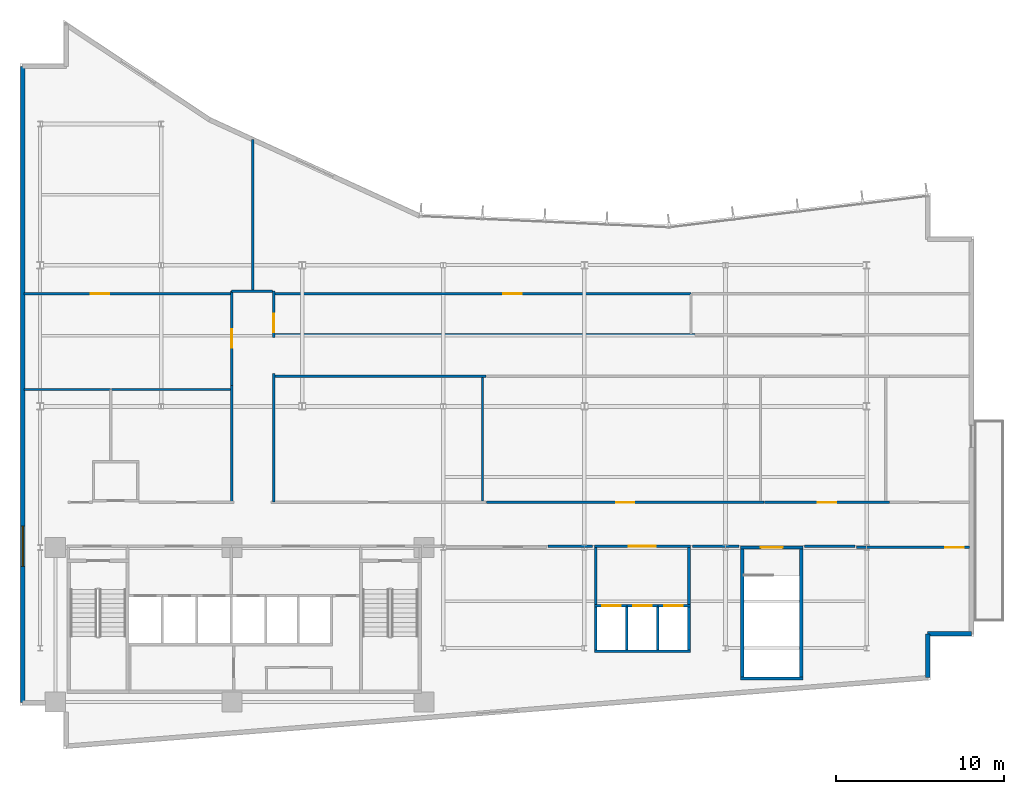
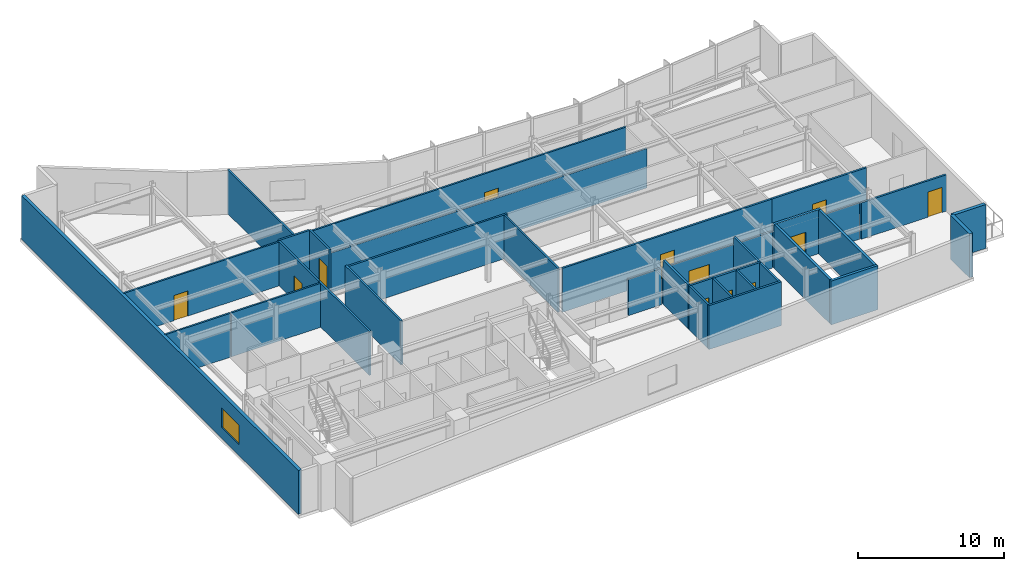
# One storey, part 11 of 16: 37 walls, 12 doors, 1 window, 13 openings.
"""IFC4 building model written with IfcOpenShell, lengths in metres."""

from ifc_helpers import new_model, si_unit, direction, frame, frame_2d, origin, place, context, subcontext, project, spatial, rectangle, extrude, material, layer, layer_set, type_object, element, fill, save


model = new_model("IFC4")

# Units and contexts
model_context = context("Model", 3, precision=1e-05, world=origin(), true_north=direction((0.0, 1.0)))
body_context = subcontext(model_context, "Body", "Model", "MODEL_VIEW")
ifc_project = project(units=[si_unit("LENGTHUNIT", "METRE"), si_unit("AREAUNIT", "SQUARE_METRE"), si_unit("VOLUMEUNIT", "CUBIC_METRE"), si_unit("PLANEANGLEUNIT", "RADIAN"), si_unit("MASSUNIT", "GRAM", prefix="KILO")], contexts=[model_context])

# Site, building, storey
site_placement = place(None, origin())
site = spatial("IfcSite", under=ifc_project, at=site_placement, CompositionType="ELEMENT")
building_placement = place(site_placement, origin())
building = spatial("IfcBuilding", under=site, at=building_placement, Name="Varnakote Quay Hospital", CompositionType="ELEMENT")
storey_placement = place(building_placement, frame((0.0, 0.0, 170.5)))
storey = spatial("IfcBuildingStorey", under=building, at=storey_placement, Name="L42", CompositionType="ELEMENT", Elevation=170.5)

# Walls
ifc_material_1 = material(Name="Fire-rated acoustic gypsum stud wall", Category="gypsum")
ifc_layer_1 = layer(ifc_material_1, 0.159912109375)
ifc_layer_set_1 = layer_set([ifc_layer_1], Name="Fire-rated acoustic gypsum stud wall")
wall_type_1 = type_object("IfcWallType", Name="WL-COMP-160", PredefinedType="PARTITIONING", material=ifc_layer_set_1)
for number, where, z_axis, x_axis, name in (
    (1, (34.27001953125, 8.610107421875, 0.0), (0.0, 0.0, 1.0), (0.0, 1.0, 0.0), "L42 Mid-Rise Lift Lobby West Wall"),
    (2, (39.830078125, 8.610107421875, 0.0), (0.0, 0.0, 1.0), (0.0, 1.0, 0.0), "L42 Mid-Rise Lift Lobby East Wall"),
):
    element("IfcWall", number, at=place(storey_placement, frame(where, z_axis=z_axis, x_axis=x_axis)), inside=storey, type_object=wall_type_1, Name=name, PredefinedType="PARTITIONING", context=body_context, shape_type="SweptSolid", body=[
        extrude(rectangle(XDim=3.389892578125, YDim=0.159912109375, at=frame_2d((1.69482421875, 0.0))), origin(), (0.0, 0.0, 1.0), 3.669921875),
    ])

# Wall, opening, door
wall_1_placement = place(storey_placement, frame((34.18994140625, 12.080078125, 0.0), z_axis=(0.0, 0.0, 1.0), x_axis=(1.0, 0.0, 0.0)))
wall_1 = element("IfcWall", 3, at=wall_1_placement, inside=storey, type_object=wall_type_1, Name="L42 Mid-Rise Lift Lobby North Wall", PredefinedType="PARTITIONING", context=body_context, shape_type="SweptSolid", body=[
    extrude(rectangle(XDim=5.719970703125, YDim=0.159912109375, at=frame_2d((2.85986328125, 0.0))), origin(), (0.0, 0.0, 1.0), 3.04296875),
])
opening_1_placement = place(wall_1_placement, frame((2.06005859375, 0.0, 0.0)))
opening_1 = element("IfcOpeningElement", 4, at=opening_1_placement, cuts=wall_1, Name="Opening D-PML-L42", PredefinedType="OPENING", context=body_context, shape_type="SweptSolid", body=[
    extrude(rectangle(XDim=1.60009765625, YDim=2.050048828125, at=frame_2d((0.800048828125, 1.02490234375))), frame((0.0, 0.08984375, 0.0), z_axis=(0.0, -1.0, 0.0), x_axis=(1.0, 0.0, 0.0)), (0.0, 0.0, 1.0), 0.179931640625),
])
ifc_material_2 = material(Name="Fire-rated double smoke lobby door")
door_type_1 = type_object("IfcDoorType", Name="DR-LOBBY-FD60S-1600x2150", OperationType="NOTDEFINED", PredefinedType="DOOR", material=ifc_material_2)
door_1_placement = place(opening_1_placement, origin())
door_1 = element("IfcDoor", 5, at=door_1_placement, inside=storey, type_object=door_type_1, Name="L42 Mid-Rise Passenger Concourse Vestibule Door", OperationType="DOUBLE_DOOR_SINGLE_SWING", OverallHeight=2.050048828125, OverallWidth=1.60009765625, PredefinedType="DOOR", context=body_context, shape_type="SweptSolid", body=[
    extrude(rectangle(XDim=1.60009765625, YDim=2.050048828125, at=frame_2d((0.800048828125, 1.02490234375))), frame((0.0, 0.02490234375, 0.0), z_axis=(0.0, -1.0, 0.0), x_axis=(1.0, 0.0, 0.0)), (0.0, 0.0, 1.0), 0.050048828125),
])
fill(opening_1, door_1)

# Walls
wall_2_placement = place(storey_placement, frame((31.439208984375, 12.080078125, 0.0), z_axis=(0.0, 0.0, 1.0), x_axis=(1.0, 0.0, 0.0)))
element("IfcWall", 6, at=wall_2_placement, inside=storey, type_object=wall_type_1, Name="L42 Corridor South Gap Wall", PredefinedType="PARTITIONING", context=body_context, shape_type="SweptSolid", body=[
    extrude(rectangle(XDim=2.630859375, YDim=0.159912109375, at=frame_2d((1.3154296875, 0.0))), origin(), (0.0, 0.0, 1.0), 3.04296875),
])
wall_3_placement = place(storey_placement, frame((40.030029296875, 12.080078125, 0.0), z_axis=(0.0, 0.0, 1.0), x_axis=(1.0, 0.0, 0.0)))
element("IfcWall", 7, at=wall_3_placement, inside=storey, type_object=wall_type_1, Name="L42 Corridor South Gap Wall", PredefinedType="PARTITIONING", context=body_context, shape_type="SweptSolid", body=[
    extrude(rectangle(XDim=2.78076171875, YDim=0.159912109375, at=frame_2d((1.390380859375, 0.0))), origin(), (0.0, 0.0, 1.0), 3.04296875),
])
wall_4_placement = place(storey_placement, frame((46.689208984375, 12.080078125, 0.0), z_axis=(0.0, 0.0, 1.0), x_axis=(1.0, 0.0, 0.0)))
element("IfcWall", 8, at=wall_4_placement, inside=storey, type_object=wall_type_1, Name="L42 Corridor South Gap Wall", PredefinedType="PARTITIONING", context=body_context, shape_type="SweptSolid", body=[
    extrude(rectangle(XDim=3.0107421875, YDim=0.159912109375, at=frame_2d((1.50537109375, 0.0))), origin(), (0.0, 0.0, 1.0), 3.04296875),
])
ifc_material_3 = material(Name="Precast concrete N50 (f'c 50 MPa)", Category="concrete")
ifc_layer_2 = layer(ifc_material_3, 0.260009765625)
ifc_layer_set_2 = layer_set([ifc_layer_2], Name="Precast concrete N50 (f'c 50 MPa)")
wall_type_2 = type_object("IfcWallType", Name="WL-EXT-BRICK-260", PredefinedType="STANDARD", material=ifc_layer_set_2)
wall_5_placement = place(storey_placement, frame((54.0400390625, 4.247802734375, 0.0), z_axis=(0.0, 0.0, 1.0), x_axis=(0.0, 1.0, 0.0)))
element("IfcWall", 9, at=wall_5_placement, inside=storey, type_object=wall_type_2, Name="L42 Brick-Faced Precast Exterior Wall", PredefinedType="STANDARD", context=body_context, shape_type="SweptSolid", body=[
    extrude(rectangle(XDim=2.6123046875, YDim=0.260009765625, at=frame_2d((1.30615234375, 0.0))), origin(), (0.0, 0.0, 1.0), 3.669921875),
])
wall_6_placement = place(storey_placement, frame((54.0400390625, 6.860107421875, 0.0), z_axis=(0.0, 0.0, 1.0), x_axis=(1.0, 0.0, 0.0)))
element("IfcWall", 10, at=wall_6_placement, inside=storey, type_object=wall_type_2, Name="L42 Brick-Faced Precast Exterior Wall", PredefinedType="STANDARD", context=body_context, shape_type="SweptSolid", body=[
    extrude(rectangle(XDim=2.599853515625, YDim=0.260009765625, at=frame_2d((1.2998046875, 0.0))), origin(), (0.0, 0.0, 1.0), 3.669921875),
])

# Wall, opening, window
wall_7_placement = place(storey_placement, frame((0.159912109375, 40.639892578125, 0.0), z_axis=(0.0, 0.0, 1.0), x_axis=(0.0, -1.0, 0.0)))
wall_7 = element("IfcWall", 11, at=wall_7_placement, inside=storey, type_object=wall_type_2, Name="L42 Brick-Faced Precast Exterior Wall", PredefinedType="STANDARD", context=body_context, shape_type="SweptSolid", body=[
    extrude(rectangle(XDim=37.8798828125, YDim=0.260009765625, at=frame_2d((18.93994140625, 0.0))), origin(), (0.0, 0.0, 1.0), 3.669921875),
])
opening_2_placement = place(wall_7_placement, frame((27.3701171875, 0.0, 0.89990234375)))
opening_2 = element("IfcOpeningElement", 12, at=opening_2_placement, cuts=wall_7, Name="Opening WN-0181", PredefinedType="OPENING", context=body_context, shape_type="SweptSolid", body=[
    extrude(rectangle(XDim=2.39990234375, YDim=1.64990234375, at=frame_2d((1.199951171875, 0.824951171875))), frame((0.0, 0.139892578125, 0.0), z_axis=(0.0, -1.0, 0.0), x_axis=(1.0, 0.0, 0.0)), (0.0, 0.0, 1.0), 0.280029296875),
])
ifc_material_4 = material(Name="Double-glazed low-E solar glass", Category="glass")
window_type = type_object("IfcWindowType", Name="WIN-CLIN-2400x1650", PartitioningType="SINGLE_PANEL", PredefinedType="WINDOW", material=ifc_material_4)
window_placement = place(opening_2_placement, origin())
window = element("IfcWindow", 13, at=window_placement, inside=storey, type_object=window_type, Name="L42 Solar-Control Clinical Window", OverallHeight=1.64990234375, OverallWidth=2.39990234375, PartitioningType="SINGLE_PANEL", PredefinedType="WINDOW", context=body_context, shape_type="SweptSolid", body=[
    extrude(rectangle(XDim=2.39990234375, YDim=1.64990234375, at=frame_2d((1.199951171875, 0.824951171875))), frame((0.0, 0.030029296875, 0.0), z_axis=(0.0, -1.0, 0.0), x_axis=(1.0, 0.0, 0.0)), (0.0, 0.0, 1.0), 0.06005859375),
])
fill(opening_2, window)

# Walls
ifc_material_5 = material(Name="Concrete N50 (f'c 50 MPa)", Category="concrete")
ifc_layer_3 = layer(ifc_material_5, 0.14990234375)
ifc_layer_set_3 = layer_set([ifc_layer_3], Name="Concrete N50 (f'c 50 MPa)")
wall_type_3 = type_object("IfcWallType", Name="WL-SHAFT-N50-150", PredefinedType="SHEAR", material=ifc_layer_set_3)
for number, where, z_axis, x_axis, name in (
    (14, (36.125, 5.89990234375, 0.0), (0.0, 0.0, 1.0), (0.0, 1.0, 0.0), "L42 LF-PM1 Hoistway Divider Wall"),
    (15, (37.97509765625, 5.89990234375, 0.0), (0.0, 0.0, 1.0), (0.0, 1.0, 0.0), "L42 LF-PM2 Hoistway Divider Wall"),
):
    element("IfcWall", number, at=place(storey_placement, frame(where, z_axis=z_axis, x_axis=x_axis)), inside=storey, type_object=wall_type_3, Name=name, PredefinedType="SHEAR", context=body_context, shape_type="SweptSolid", body=[
        extrude(rectangle(XDim=2.550048828125, YDim=0.14990234375, at=frame_2d((1.27490234375, 0.0))), origin(), (0.0, 0.0, 1.0), 3.669921875),
    ])
ifc_material_6 = material(Name="Concrete N50 (f'c 50 MPa)", Category="concrete")
ifc_layer_4 = layer(ifc_material_6, 0.159912109375)
ifc_layer_set_4 = layer_set([ifc_layer_4], Name="Concrete N50 (f'c 50 MPa)")
wall_type_4 = type_object("IfcWallType", Name="WL-SHAFT-N50-160", PredefinedType="SHEAR", material=ifc_layer_set_4)
wall_8_placement = place(storey_placement, frame((34.18994140625, 5.820068359375, 0.0), z_axis=(0.0, 0.0, 1.0), x_axis=(1.0, 0.0, 0.0)))
element("IfcWall", 16, at=wall_8_placement, inside=storey, type_object=wall_type_4, Name="L42 MID Lift Bank Back Shear Wall", PredefinedType="SHEAR", context=body_context, shape_type="SweptSolid", body=[
    extrude(rectangle(XDim=5.719970703125, YDim=0.159912109375, at=frame_2d((2.85986328125, 0.0))), origin(), (0.0, 0.0, 1.0), 3.669921875),
])
for number, where, z_axis, x_axis, name in (
    (17, (34.27001953125, 5.89990234375, 0.0), (0.0, 0.0, 1.0), (0.0, 1.0, 0.0), "L42 MID Lift Bank West Shear Wall"),
    (18, (39.830078125, 5.89990234375, 0.0), (0.0, 0.0, 1.0), (0.0, 1.0, 0.0), "L42 MID Lift Bank East Shear Wall"),
):
    element("IfcWall", number, at=place(storey_placement, frame(where, z_axis=z_axis, x_axis=x_axis)), inside=storey, type_object=wall_type_4, Name=name, PredefinedType="SHEAR", context=body_context, shape_type="SweptSolid", body=[
        extrude(rectangle(XDim=2.550048828125, YDim=0.159912109375, at=frame_2d((1.27490234375, 0.0))), origin(), (0.0, 0.0, 1.0), 3.669921875),
    ])

# Wall, opening, door
wall_9_placement = place(storey_placement, frame((34.18994140625, 8.530029296875, 0.0), z_axis=(0.0, 0.0, 1.0), x_axis=(1.0, 0.0, 0.0)))
wall_9 = element("IfcWall", 19, at=wall_9_placement, inside=storey, type_object=wall_type_4, Name="L42 LF-PM1 Hoistway Front Wall", PredefinedType="SHEAR", context=body_context, shape_type="SweptSolid", body=[
    extrude(rectangle(XDim=1.93505859375, YDim=0.159912109375, at=frame_2d((0.967529296875, 0.0))), origin(), (0.0, 0.0, 1.0), 3.669921875),
])
opening_3_placement = place(wall_9_placement, frame((0.4599609375, 0.0, 0.0)))
opening_3 = element("IfcOpeningElement", 20, at=opening_3_placement, cuts=wall_9, Name="Opening LD-PM1-L42", PredefinedType="OPENING", context=body_context, shape_type="SweptSolid", body=[
    extrude(rectangle(XDim=1.10009765625, YDim=2.14990234375, at=frame_2d((0.550048828125, 1.074951171875))), frame((0.0, 0.08984375, 0.0), z_axis=(0.0, -1.0, 0.0), x_axis=(1.0, 0.0, 0.0)), (0.0, 0.0, 1.0), 0.179931640625),
])
ifc_material_7 = material(Name="Brushed bronze lift landing sliding door")
door_type_2 = type_object("IfcDoorType", Name="DR-LIFT-LD-1100x2150", OperationType="NOTDEFINED", PredefinedType="DOOR", material=ifc_material_7)
door_2_placement = place(opening_3_placement, origin())
door_2 = element("IfcDoor", 21, at=door_2_placement, inside=storey, type_object=door_type_2, Name="L42 LF-PM1 Lift Landing Sliding Door", OperationType="SLIDING_TO_LEFT", OverallHeight=2.14990234375, OverallWidth=1.10009765625, PredefinedType="DOOR", context=body_context, shape_type="SweptSolid", body=[
    extrude(rectangle(XDim=1.10009765625, YDim=2.14990234375, at=frame_2d((0.550048828125, 1.074951171875))), frame((0.0, 0.02490234375, 0.0), z_axis=(0.0, -1.0, 0.0), x_axis=(1.0, 0.0, 0.0)), (0.0, 0.0, 1.0), 0.050048828125),
])
fill(opening_3, door_2)

wall_10_placement = place(storey_placement, frame((36.125, 8.530029296875, 0.0), z_axis=(0.0, 0.0, 1.0), x_axis=(1.0, 0.0, 0.0)))
wall_10 = element("IfcWall", 22, at=wall_10_placement, inside=storey, type_object=wall_type_4, Name="L42 LF-PM2 Hoistway Front Wall", PredefinedType="SHEAR", context=body_context, shape_type="SweptSolid", body=[
    extrude(rectangle(XDim=1.85009765625, YDim=0.159912109375, at=frame_2d((0.925048828125, 0.0))), origin(), (0.0, 0.0, 1.0), 3.669921875),
])
opening_4_placement = place(wall_10_placement, frame((0.375, 0.0, 0.0)))
opening_4 = element("IfcOpeningElement", 23, at=opening_4_placement, cuts=wall_10, Name="Opening LD-PM2-L42", PredefinedType="OPENING", context=body_context, shape_type="SweptSolid", body=[
    extrude(rectangle(XDim=1.10009765625, YDim=2.14990234375, at=frame_2d((0.550048828125, 1.074951171875))), frame((0.0, 0.08984375, 0.0), z_axis=(0.0, -1.0, 0.0), x_axis=(1.0, 0.0, 0.0)), (0.0, 0.0, 1.0), 0.179931640625),
])
door_3_placement = place(opening_4_placement, origin())
door_3 = element("IfcDoor", 24, at=door_3_placement, inside=storey, type_object=door_type_2, Name="L42 LF-PM2 Lift Landing Sliding Door", OperationType="SLIDING_TO_LEFT", OverallHeight=2.14990234375, OverallWidth=1.10009765625, PredefinedType="DOOR", context=body_context, shape_type="SweptSolid", body=[
    extrude(rectangle(XDim=1.10009765625, YDim=2.14990234375, at=frame_2d((0.550048828125, 1.074951171875))), frame((0.0, 0.02490234375, 0.0), z_axis=(0.0, -1.0, 0.0), x_axis=(1.0, 0.0, 0.0)), (0.0, 0.0, 1.0), 0.050048828125),
])
fill(opening_4, door_3)

wall_11_placement = place(storey_placement, frame((37.97509765625, 8.530029296875, 0.0), z_axis=(0.0, 0.0, 1.0), x_axis=(1.0, 0.0, 0.0)))
wall_11 = element("IfcWall", 25, at=wall_11_placement, inside=storey, type_object=wall_type_4, Name="L42 LF-PM3 Hoistway Front Wall", PredefinedType="SHEAR", context=body_context, shape_type="SweptSolid", body=[
    extrude(rectangle(XDim=1.934814453125, YDim=0.159912109375, at=frame_2d((0.96728515625, 0.0))), origin(), (0.0, 0.0, 1.0), 3.669921875),
])
opening_5_placement = place(wall_11_placement, frame((0.375, 0.0, 0.0)))
opening_5 = element("IfcOpeningElement", 26, at=opening_5_placement, cuts=wall_11, Name="Opening LD-PM3-L42", PredefinedType="OPENING", context=body_context, shape_type="SweptSolid", body=[
    extrude(rectangle(XDim=1.10009765625, YDim=2.14990234375, at=frame_2d((0.550048828125, 1.074951171875))), frame((0.0, 0.08984375, 0.0), z_axis=(0.0, -1.0, 0.0), x_axis=(1.0, 0.0, 0.0)), (0.0, 0.0, 1.0), 0.179931640625),
])
door_4_placement = place(opening_5_placement, origin())
door_4 = element("IfcDoor", 27, at=door_4_placement, inside=storey, type_object=door_type_2, Name="L42 LF-PM3 Lift Landing Sliding Door", OperationType="SLIDING_TO_LEFT", OverallHeight=2.14990234375, OverallWidth=1.10009765625, PredefinedType="DOOR", context=body_context, shape_type="SweptSolid", body=[
    extrude(rectangle(XDim=1.10009765625, YDim=2.14990234375, at=frame_2d((0.550048828125, 1.074951171875))), frame((0.0, 0.02490234375, 0.0), z_axis=(0.0, -1.0, 0.0), x_axis=(1.0, 0.0, 0.0)), (0.0, 0.0, 1.0), 0.050048828125),
])
fill(opening_5, door_4)

# Walls
ifc_material_8 = material(Name="Concrete N50 (f'c 50 MPa)", Category="concrete")
ifc_layer_5 = layer(ifc_material_8, 0.199951171875)
ifc_layer_set_5 = layer_set([ifc_layer_5], Name="Concrete N50 (f'c 50 MPa)")
wall_type_5 = type_object("IfcWallType", Name="WL-SHAFT-N50-200", PredefinedType="SHEAR", material=ifc_layer_set_5)
wall_12_placement = place(storey_placement, frame((42.89990234375, 4.199951171875, 0.0), z_axis=(0.0, 0.0, 1.0), x_axis=(1.0, 0.0, 0.0)))
element("IfcWall", 28, at=wall_12_placement, inside=storey, type_object=wall_type_5, Name="L42 Stair ST3 South Shaft Wall", PredefinedType="SHEAR", context=body_context, shape_type="SweptSolid", body=[
    extrude(rectangle(XDim=3.7001953125, YDim=0.199951171875, at=frame_2d((1.85009765625, 0.0))), origin(), (0.0, 0.0, 1.0), 3.669921875),
])
for number, where, z_axis, x_axis, name in (
    (29, (43.0, 4.300048828125, 0.0), (0.0, 0.0, 1.0), (0.0, 1.0, 0.0), "L42 Stair ST3 West Shaft Wall"),
    (30, (46.5, 4.300048828125, 0.0), (0.0, 0.0, 1.0), (0.0, 1.0, 0.0), "L42 Stair ST3 East Shaft Wall"),
):
    element("IfcWall", number, at=place(storey_placement, frame(where, z_axis=z_axis, x_axis=x_axis)), inside=storey, type_object=wall_type_5, Name=name, PredefinedType="SHEAR", context=body_context, shape_type="SweptSolid", body=[
        extrude(rectangle(XDim=7.599853515625, YDim=0.199951171875, at=frame_2d((3.7998046875, 0.0))), origin(), (0.0, 0.0, 1.0), 3.669921875),
    ])

# Wall, opening, door
wall_13_placement = place(storey_placement, frame((42.89990234375, 12.0, 0.0), z_axis=(0.0, 0.0, 1.0), x_axis=(1.0, 0.0, 0.0)))
wall_13 = element("IfcWall", 31, at=wall_13_placement, inside=storey, type_object=wall_type_5, Name="L42 Stair ST3 Exit Wall", PredefinedType="SHEAR", context=body_context, shape_type="SweptSolid", body=[
    extrude(rectangle(XDim=3.7001953125, YDim=0.199951171875, at=frame_2d((1.85009765625, 0.0))), origin(), (0.0, 0.0, 1.0), 3.669921875),
])
opening_6_placement = place(wall_13_placement, frame((1.199951171875, 0.0, 0.0)))
opening_6 = element("IfcOpeningElement", 32, at=opening_6_placement, cuts=wall_13, Name="Opening D-ST3-L42", PredefinedType="OPENING", context=body_context, shape_type="SweptSolid", body=[
    extrude(rectangle(XDim=1.300048828125, YDim=2.14990234375, at=frame_2d((0.64990234375, 1.074951171875))), frame((0.0, 0.10986328125, 0.0), z_axis=(0.0, -1.0, 0.0), x_axis=(1.0, 0.0, 0.0)), (0.0, 0.0, 1.0), 0.219970703125),
])
ifc_material_9 = material(Name="Fire-rated ceramic-glazed timber exit door", Category="wood")
door_type_3 = type_object("IfcDoorType", Name="DR-STAIR-FD60S-1300x2150", OperationType="NOTDEFINED", PredefinedType="DOOR", material=ifc_material_9)
door_5_placement = place(opening_6_placement, origin())
door_5 = element("IfcDoor", 33, at=door_5_placement, inside=storey, type_object=door_type_3, Name="L42 Stair ST3 Fire Exit Door", OperationType="SINGLE_SWING_LEFT", OverallHeight=2.14990234375, OverallWidth=1.300048828125, PredefinedType="DOOR", context=body_context, shape_type="SweptSolid", body=[
    extrude(rectangle(XDim=1.300048828125, YDim=2.14990234375, at=frame_2d((0.64990234375, 1.074951171875))), frame((0.0, 0.02490234375, 0.0), z_axis=(0.0, -1.0, 0.0), x_axis=(1.0, 0.0, 0.0)), (0.0, 0.0, 1.0), 0.050048828125),
])
fill(opening_6, door_5)

# Walls
ifc_material_10 = material(Name="Smoke-proof clinical partition", Category="gypsum")
ifc_layer_6 = layer(ifc_material_10, 0.135009765625)
ifc_layer_set_6 = layer_set([ifc_layer_6], Name="Smoke-proof clinical partition")
wall_type_6 = type_object("IfcWallType", Name="WL-SMOKE-135", PredefinedType="PARTITIONING", material=ifc_layer_set_6)
wall_14_placement = place(storey_placement, frame((5.39990234375, 21.39990234375, 0.0), z_axis=(0.0, 0.0, 1.0), x_axis=(-1.0, 0.0, 0.0)))
element("IfcWall", 34, at=wall_14_placement, inside=storey, type_object=wall_type_6, Name="L42 Clinical Interior Partition", PredefinedType="PARTITIONING", context=body_context, shape_type="SweptSolid", body=[
    extrude(rectangle(XDim=5.159912109375, YDim=0.135009765625, at=frame_2d((2.580078125, 0.0))), origin(), (0.0, 0.0, 1.0), 3.669921875),
])
wall_15_placement = place(storey_placement, frame((12.52001953125, 21.39990234375, 0.0), z_axis=(0.0, 0.0, 1.0), x_axis=(-1.0, 0.0, 0.0)))
element("IfcWall", 35, at=wall_15_placement, inside=storey, type_object=wall_type_6, Name="L42 Clinical Interior Partition", PredefinedType="PARTITIONING", context=body_context, shape_type="SweptSolid", body=[
    extrude(rectangle(XDim=7.0625, YDim=0.135009765625, at=frame_2d((3.53125, 0.0))), origin(), (0.0, 0.0, 1.0), 3.669921875),
])

# Wall, opening, door
wall_16_placement = place(storey_placement, frame((12.52001953125, 27.10009765625, 0.0), z_axis=(0.0, 0.0, 1.0), x_axis=(-1.0, 0.0, 0.0)))
wall_16 = element("IfcWall", 36, at=wall_16_placement, inside=storey, type_object=wall_type_6, Name="L42 Clinical Interior Partition", PredefinedType="PARTITIONING", context=body_context, shape_type="SweptSolid", body=[
    extrude(rectangle(XDim=12.280029296875, YDim=0.135009765625, at=frame_2d((6.14013671875, 0.0))), origin(), (0.0, 0.0, 1.0), 3.669921875),
])
opening_7_placement = place(wall_16_placement, frame((7.20703125, 0.0, 0.0)))
opening_7 = element("IfcOpeningElement", 37, at=opening_7_placement, cuts=wall_16, Name="Opening D-L42-MD08", PredefinedType="OPENING", context=body_context, shape_type="SweptSolid", body=[
    extrude(rectangle(XDim=1.10009765625, YDim=2.10009765625, at=frame_2d((0.550048828125, 1.050048828125))), frame((0.0, 0.077392578125, 0.0), z_axis=(0.0, -1.0, 0.0), x_axis=(1.0, 0.0, 0.0)), (0.0, 0.0, 1.0), 0.155029296875),
])
ifc_material_11 = material(Name="Acoustic timber clinical consult door", Category="wood")
door_type_4 = type_object("IfcDoorType", Name="DR-CLIN-FD30S-1100x2100", OperationType="NOTDEFINED", PredefinedType="DOOR", material=ifc_material_11)
door_6_placement = place(opening_7_placement, origin())
door_6 = element("IfcDoor", 38, at=door_6_placement, inside=storey, type_object=door_type_4, Name="L42 Lactation Specialist Office Door", OperationType="SINGLE_SWING_LEFT", OverallHeight=2.10009765625, OverallWidth=1.10009765625, PredefinedType="DOOR", context=body_context, shape_type="SweptSolid", body=[
    extrude(rectangle(XDim=1.10009765625, YDim=2.10009765625, at=frame_2d((0.550048828125, 1.050048828125))), frame((0.0, 0.02490234375, 0.0), z_axis=(0.0, -1.0, 0.0), x_axis=(1.0, 0.0, 0.0)), (0.0, 0.0, 1.0), 0.050048828125),
])
fill(opening_7, door_6)

# Wall
wall_17_placement = place(storey_placement, frame((27.530029296875, 14.760009765625, 0.0), z_axis=(0.0, 0.0, 1.0), x_axis=(0.0, 1.0, 0.0)))
element("IfcWall", 39, at=wall_17_placement, inside=storey, type_object=wall_type_6, Name="L42 Clinical Interior Partition", PredefinedType="PARTITIONING", context=body_context, shape_type="SweptSolid", body=[
    extrude(rectangle(XDim=7.360107421875, YDim=0.135009765625, at=frame_2d((3.68017578125, 0.0))), origin(), (0.0, 0.0, 1.0), 3.669921875),
])

# Wall, opening, door
wall_18_placement = place(storey_placement, frame((39.949951171875, 27.10009765625, 0.0), z_axis=(0.0, 0.0, 1.0), x_axis=(-1.0, 0.0, 0.0)))
wall_18 = element("IfcWall", 40, at=wall_18_placement, inside=storey, type_object=wall_type_6, Name="L42 Clinical Interior Partition", PredefinedType="PARTITIONING", context=body_context, shape_type="SweptSolid", body=[
    extrude(rectangle(XDim=24.77001953125, YDim=0.135009765625, at=frame_2d((12.385009765625, 0.0))), origin(), (0.0, 0.0, 1.0), 3.669921875),
])
opening_8_placement = place(wall_18_placement, frame((10.08984375, 0.0, 0.0)))
opening_8 = element("IfcOpeningElement", 41, at=opening_8_placement, cuts=wall_18, Name="Opening D-L42-MD09", PredefinedType="OPENING", context=body_context, shape_type="SweptSolid", body=[
    extrude(rectangle(XDim=1.10009765625, YDim=2.10009765625, at=frame_2d((0.550048828125, 1.050048828125))), frame((0.0, 0.077392578125, 0.0), z_axis=(0.0, -1.0, 0.0), x_axis=(1.0, 0.0, 0.0)), (0.0, 0.0, 1.0), 0.155029296875),
])
door_7_placement = place(opening_8_placement, origin())
door_7 = element("IfcDoor", 42, at=door_7_placement, inside=storey, type_object=door_type_4, Name="L42 Maternal Recovery Treatment Suite Door", OperationType="SINGLE_SWING_RIGHT", OverallHeight=2.10009765625, OverallWidth=1.10009765625, PredefinedType="DOOR", context=body_context, shape_type="SweptSolid", body=[
    extrude(rectangle(XDim=1.10009765625, YDim=2.10009765625, at=frame_2d((0.550048828125, 1.050048828125))), frame((0.0, 0.02490234375, 0.0), z_axis=(0.0, -1.0, 0.0), x_axis=(1.0, 0.0, 0.0)), (0.0, 0.0, 1.0), 0.050048828125),
])
fill(opening_8, door_7)

# Wall
wall_19_placement = place(storey_placement, frame((13.85009765625, 27.320068359375, 0.0), z_axis=(0.0, 0.0, 1.0), x_axis=(0.0, 1.0, 0.0)))
element("IfcWall", 43, at=wall_19_placement, inside=storey, type_object=wall_type_6, Name="L42 Clinical Interior Partition", PredefinedType="PARTITIONING", context=body_context, shape_type="SweptSolid", body=[
    extrude(rectangle(XDim=8.959716796875, YDim=0.135009765625, at=frame_2d((4.47998046875, 0.0))), origin(), (0.0, 0.0, 1.0), 3.669921875),
])

# Wall, opening, door
ifc_material_12 = material(Name="Fire-rated clinical gypsum partition", Category="gypsum")
ifc_layer_7 = layer(ifc_material_12, 0.14990234375)
ifc_layer_set_7 = layer_set([ifc_layer_7], Name="Fire-rated clinical gypsum partition")
wall_type_7 = type_object("IfcWallType", Name="WL-WARD-150", PredefinedType="PARTITIONING", material=ifc_layer_set_7)
wall_20_placement = place(storey_placement, frame((56.52001953125, 12.0, 0.0), z_axis=(0.0, 0.0, 1.0), x_axis=(-1.0, 0.0, 0.0)))
wall_20 = element("IfcWall", 44, at=wall_20_placement, inside=storey, type_object=wall_type_7, Name="L42 Clinical Interior Partition", PredefinedType="PARTITIONING", context=body_context, shape_type="SweptSolid", body=[
    extrude(rectangle(XDim=6.719970703125, YDim=0.14990234375, at=frame_2d((3.35986328125, 0.0))), origin(), (0.0, 0.0, 1.0), 3.04296875),
])
opening_9_placement = place(wall_20_placement, frame((0.33056640625, 0.0, 0.0)))
opening_9 = element("IfcOpeningElement", 45, at=opening_9_placement, cuts=wall_20, Name="Opening D-L42-SE1", PredefinedType="OPENING", context=body_context, shape_type="SweptSolid", body=[
    extrude(rectangle(XDim=1.10009765625, YDim=2.10009765625, at=frame_2d((0.550048828125, 1.050048828125))), frame((0.0, 0.0849609375, 0.0), z_axis=(0.0, -1.0, 0.0), x_axis=(1.0, 0.0, 0.0)), (0.0, 0.0, 1.0), 0.169921875),
])
door_8_placement = place(opening_9_placement, origin())
door_8 = element("IfcDoor", 46, at=door_8_placement, inside=storey, type_object=door_type_4, Name="L42 Clinical Biomedical Engineering Office Door", OperationType="SINGLE_SWING_LEFT", OverallHeight=2.10009765625, OverallWidth=1.10009765625, PredefinedType="DOOR", context=body_context, shape_type="SweptSolid", body=[
    extrude(rectangle(XDim=1.10009765625, YDim=2.10009765625, at=frame_2d((0.550048828125, 1.050048828125))), frame((0.0, 0.02490234375, 0.0), z_axis=(0.0, -1.0, 0.0), x_axis=(1.0, 0.0, 0.0)), (0.0, 0.0, 1.0), 0.050048828125),
])
fill(opening_9, door_8)

wall_21_placement = place(storey_placement, frame((44.305908203125, 14.679931640625, 0.0), z_axis=(0.0, 0.0, 1.0), x_axis=(-1.0, 0.0, 0.0)))
wall_21 = element("IfcWall", 47, at=wall_21_placement, inside=storey, type_object=wall_type_7, Name="L42 Clinical Interior Partition", PredefinedType="PARTITIONING", context=body_context, shape_type="SweptSolid", body=[
    extrude(rectangle(XDim=16.5478515625, YDim=0.14990234375, at=frame_2d((8.27392578125, 0.0))), origin(), (0.0, 0.0, 1.0), 3.669921875),
])
opening_10_placement = place(wall_21_placement, frame((7.72412109375, 0.0, 0.0)))
opening_10 = element("IfcOpeningElement", 48, at=opening_10_placement, cuts=wall_21, Name="Opening D-L42-MD05", PredefinedType="OPENING", context=body_context, shape_type="SweptSolid", body=[
    extrude(rectangle(XDim=1.10009765625, YDim=2.10009765625, at=frame_2d((0.550048828125, 1.050048828125))), frame((0.0, 0.0849609375, 0.0), z_axis=(0.0, -1.0, 0.0), x_axis=(1.0, 0.0, 0.0)), (0.0, 0.0, 1.0), 0.169921875),
])
door_9_placement = place(opening_10_placement, origin())
door_9 = element("IfcDoor", 49, at=door_9_placement, inside=storey, type_object=door_type_4, Name="L42 Maternal Recovery Treatment Suite Door", OperationType="SINGLE_SWING_LEFT", OverallHeight=2.10009765625, OverallWidth=1.10009765625, PredefinedType="DOOR", context=body_context, shape_type="SweptSolid", body=[
    extrude(rectangle(XDim=1.10009765625, YDim=2.10009765625, at=frame_2d((0.550048828125, 1.050048828125))), frame((0.0, 0.02490234375, 0.0), z_axis=(0.0, -1.0, 0.0), x_axis=(1.0, 0.0, 0.0)), (0.0, 0.0, 1.0), 0.050048828125),
])
fill(opening_10, door_9)

wall_22_placement = place(storey_placement, frame((51.76611328125, 14.679931640625, 0.0), z_axis=(0.0, 0.0, 1.0), x_axis=(-1.0, 0.0, 0.0)))
wall_22 = element("IfcWall", 50, at=wall_22_placement, inside=storey, type_object=wall_type_7, Name="L42 Clinical Interior Partition", PredefinedType="PARTITIONING", context=body_context, shape_type="SweptSolid", body=[
    extrude(rectangle(XDim=7.4580078125, YDim=0.14990234375, at=frame_2d((3.72900390625, 0.0))), origin(), (0.0, 0.0, 1.0), 3.669921875),
])
opening_11_placement = place(wall_22_placement, frame((3.178955078125, 0.0, 0.0)))
opening_11 = element("IfcOpeningElement", 51, at=opening_11_placement, cuts=wall_22, Name="Opening D-L42-DLNG", PredefinedType="OPENING", context=body_context, shape_type="SweptSolid", body=[
    extrude(rectangle(XDim=1.10009765625, YDim=2.10009765625, at=frame_2d((0.550048828125, 1.050048828125))), frame((0.0, 0.0849609375, 0.0), z_axis=(0.0, -1.0, 0.0), x_axis=(1.0, 0.0, 0.0)), (0.0, 0.0, 1.0), 0.169921875),
])
door_10_placement = place(opening_11_placement, origin())
door_10 = element("IfcDoor", 52, at=door_10_placement, inside=storey, type_object=door_type_4, Name="L42 Waterfront Patient & Family Dayroom Door", OperationType="SINGLE_SWING_RIGHT", OverallHeight=2.10009765625, OverallWidth=1.10009765625, PredefinedType="DOOR", context=body_context, shape_type="SweptSolid", body=[
    extrude(rectangle(XDim=1.10009765625, YDim=2.10009765625, at=frame_2d((0.550048828125, 1.050048828125))), frame((0.0, 0.02490234375, 0.0), z_axis=(0.0, -1.0, 0.0), x_axis=(1.0, 0.0, 0.0)), (0.0, 0.0, 1.0), 0.050048828125),
])
fill(opening_11, door_10)

# Wall
wall_23_placement = place(storey_placement, frame((12.60009765625, 21.6259765625, 0.0), z_axis=(0.0, 0.0, 1.0), x_axis=(0.0, -1.0, 0.0)))
element("IfcWall", 53, at=wall_23_placement, inside=storey, type_object=wall_type_7, Name="L42 Clinical Interior Partition", PredefinedType="PARTITIONING", context=body_context, shape_type="SweptSolid", body=[
    extrude(rectangle(XDim=6.926025390625, YDim=0.14990234375, at=frame_2d((3.462890625, 0.0))), origin(), (0.0, 0.0, 1.0), 3.669921875),
])

# Wall, opening, door
wall_24_placement = place(storey_placement, frame((12.60009765625, 27.260009765625, 0.0), z_axis=(0.0, 0.0, 1.0), x_axis=(0.0, -1.0, 0.0)))
wall_24 = element("IfcWall", 54, at=wall_24_placement, inside=storey, type_object=wall_type_7, Name="L42 Clinical Interior Partition", PredefinedType="PARTITIONING", context=body_context, shape_type="SweptSolid", body=[
    extrude(rectangle(XDim=5.632080078125, YDim=0.14990234375, at=frame_2d((2.81591796875, 0.0))), origin(), (0.0, 0.0, 1.0), 3.669921875),
])
opening_12_placement = place(wall_24_placement, frame((2.26611328125, 0.0, 0.0)))
opening_12 = element("IfcOpeningElement", 55, at=opening_12_placement, cuts=wall_24, Name="Opening D-L42-MD03", PredefinedType="OPENING", context=body_context, shape_type="SweptSolid", body=[
    extrude(rectangle(XDim=1.10009765625, YDim=2.10009765625, at=frame_2d((0.550048828125, 1.050048828125))), frame((0.0, 0.0849609375, 0.0), z_axis=(0.0, -1.0, 0.0), x_axis=(1.0, 0.0, 0.0)), (0.0, 0.0, 1.0), 0.169921875),
])
door_11_placement = place(opening_12_placement, origin())
door_11 = element("IfcDoor", 56, at=door_11_placement, inside=storey, type_object=door_type_4, Name="L42 Ward Beverage Pantry Door", OperationType="SINGLE_SWING_RIGHT", OverallHeight=2.10009765625, OverallWidth=1.10009765625, PredefinedType="DOOR", context=body_context, shape_type="SweptSolid", body=[
    extrude(rectangle(XDim=1.10009765625, YDim=2.10009765625, at=frame_2d((0.550048828125, 1.050048828125))), frame((0.0, 0.02490234375, 0.0), z_axis=(0.0, -1.0, 0.0), x_axis=(1.0, 0.0, 0.0)), (0.0, 0.0, 1.0), 0.050048828125),
])
fill(opening_12, door_11)

# Wall
wall_25_placement = place(storey_placement, frame((15.10009765625, 14.699951171875, 0.0), z_axis=(0.0, 0.0, 1.0), x_axis=(0.0, 1.0, 0.0)))
element("IfcWall", 57, at=wall_25_placement, inside=storey, type_object=wall_type_7, Name="L42 Clinical Interior Partition", PredefinedType="PARTITIONING", context=body_context, shape_type="SweptSolid", body=[
    extrude(rectangle(XDim=7.64599609375, YDim=0.14990234375, at=frame_2d((3.822998046875, 0.0))), origin(), (0.0, 0.0, 1.0), 3.669921875),
])

# Wall, opening, door
wall_26_placement = place(storey_placement, frame((15.10009765625, 24.50390625, 0.0), z_axis=(0.0, 0.0, 1.0), x_axis=(0.0, 1.0, 0.0)))
wall_26 = element("IfcWall", 58, at=wall_26_placement, inside=storey, type_object=wall_type_7, Name="L42 Clinical Interior Partition", PredefinedType="PARTITIONING", context=body_context, shape_type="SweptSolid", body=[
    extrude(rectangle(XDim=2.756103515625, YDim=0.14990234375, at=frame_2d((1.3779296875, 0.0))), origin(), (0.0, 0.0, 1.0), 3.669921875),
])
opening_13_placement = place(wall_26_placement, frame((0.294189453125, 0.0, 0.0)))
opening_13 = element("IfcOpeningElement", 59, at=opening_13_placement, cuts=wall_26, Name="Opening D-L42-MD06", PredefinedType="OPENING", context=body_context, shape_type="SweptSolid", body=[
    extrude(rectangle(XDim=1.10009765625, YDim=2.10009765625, at=frame_2d((0.550048828125, 1.050048828125))), frame((0.0, 0.0849609375, 0.0), z_axis=(0.0, -1.0, 0.0), x_axis=(1.0, 0.0, 0.0)), (0.0, 0.0, 1.0), 0.169921875),
])
door_12_placement = place(opening_13_placement, origin())
door_12 = element("IfcDoor", 60, at=door_12_placement, inside=storey, type_object=door_type_4, Name="L42 Family Consultation Meeting Room Door", OperationType="SINGLE_SWING_LEFT", OverallHeight=2.10009765625, OverallWidth=1.10009765625, PredefinedType="DOOR", context=body_context, shape_type="SweptSolid", body=[
    extrude(rectangle(XDim=1.10009765625, YDim=2.10009765625, at=frame_2d((0.550048828125, 1.050048828125))), frame((0.0, 0.02490234375, 0.0), z_axis=(0.0, -1.0, 0.0), x_axis=(1.0, 0.0, 0.0)), (0.0, 0.0, 1.0), 0.050048828125),
])
fill(opening_13, door_12)

# Walls
wall_27_placement = place(storey_placement, frame((15.034912109375, 27.260009765625, 0.0), z_axis=(0.0, 0.0, 1.0), x_axis=(-1.0, 0.0, 0.0)))
element("IfcWall", 61, at=wall_27_placement, inside=storey, type_object=wall_type_7, Name="L42 Clinical Interior Partition", PredefinedType="PARTITIONING", context=body_context, shape_type="SweptSolid", body=[
    extrude(rectangle(XDim=2.434814453125, YDim=0.14990234375, at=frame_2d((1.21728515625, 0.0))), origin(), (0.0, 0.0, 1.0), 3.669921875),
])
wall_28_placement = place(storey_placement, frame((15.1201171875, 22.199951171875, 0.0), z_axis=(0.0, 0.0, 1.0), x_axis=(1.0, 0.0, 0.0)))
element("IfcWall", 62, at=wall_28_placement, inside=storey, type_object=wall_type_7, Name="L42 Clinical Interior Partition", PredefinedType="PARTITIONING", context=body_context, shape_type="SweptSolid", body=[
    extrude(rectangle(XDim=12.635986328125, YDim=0.14990234375, at=frame_2d((6.31787109375, 0.0))), origin(), (0.0, 0.0, 1.0), 3.669921875),
])
wall_29_placement = place(storey_placement, frame((40.176025390625, 24.64990234375, 0.0), z_axis=(0.0, 0.0, 1.0), x_axis=(-1.0, 0.0, 0.0)))
element("IfcWall", 63, at=wall_29_placement, inside=storey, type_object=wall_type_7, Name="L42 Clinical Interior Partition", PredefinedType="PARTITIONING", context=body_context, shape_type="SweptSolid", body=[
    extrude(rectangle(XDim=25.055908203125, YDim=0.14990234375, at=frame_2d((12.52783203125, 0.0))), origin(), (0.0, 0.0, 1.0), 3.2890625),
])

save(model, "model.ifc")
